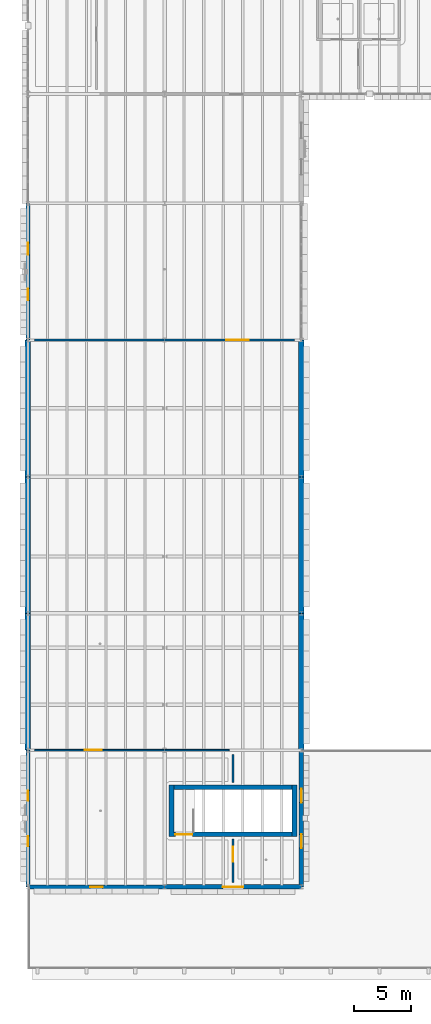
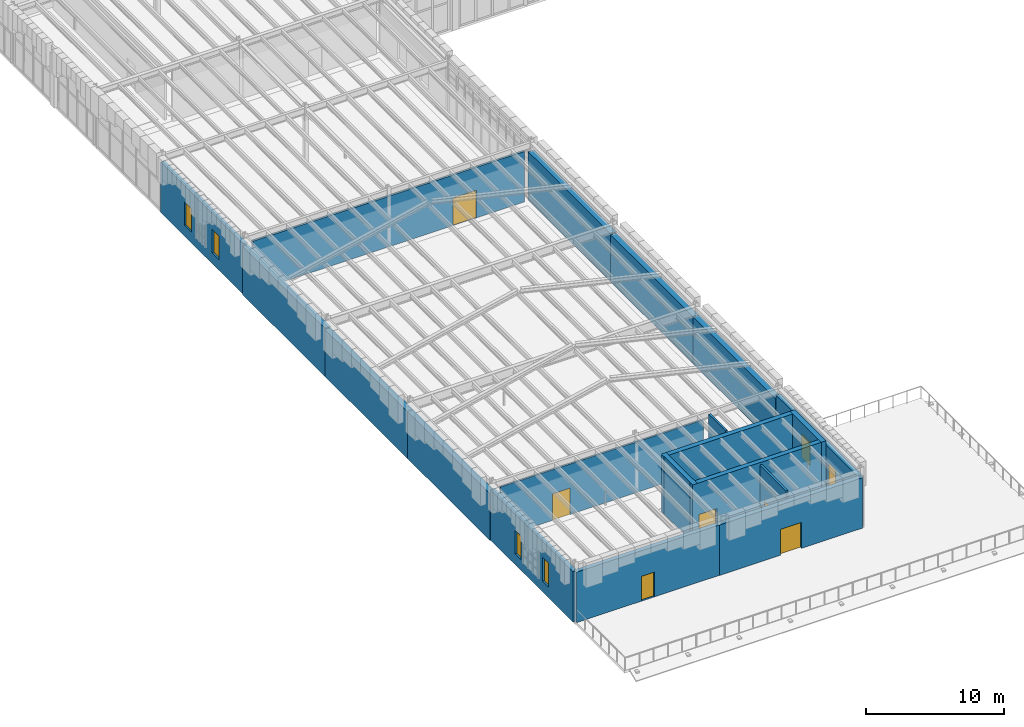
# One storey, part 56 of 100: 19 walls, 6 doors, 6 windows, 12 openings.
"""IFC4 building model written with IfcOpenShell, lengths in metres."""

import ifcopenshell
import ifcopenshell.guid

model = None  # the IFC model being written
_history = None  # IfcOwnerHistory: only IFC2X3 demands one
_inside = {}  # id of a spatial element -> (the spatial element, [elements in it])
_under = {}  # id of a project, library or spatial element -> (it, [spatial elements below it])
_declared = {}  # id of a project -> (the project, [libraries it declares])
_typed = {}  # id of a type object -> (the type object, [elements of that type])
_made_of = {}  # id of a material, layer set ... -> (it, [elements and type objects made of it])


def new_model(schema):
    """Start an empty IFC model of exactly this schema.

    Asked for "IFC4X3", IfcOpenShell would pick the latest addendum, in which some entities
    have other attributes; the version numbers below select the first issue.
    IFC2X3 requires an IfcOwnerHistory on every rooted entity: one is made here for all.
    """
    global model, _history
    if schema == "IFC4X3":
        model = ifcopenshell.file(schema_version=(4, 3, 0, 0))
    else:
        model = ifcopenshell.file(schema=schema)
    _inside.clear()
    _under.clear()
    _declared.clear()
    _typed.clear()
    _made_of.clear()
    _history = None
    if model.schema == "IFC2X3":
        org = make("IfcOrganization", Name="unknown")
        user = make(
            "IfcPersonAndOrganization",
            ThePerson=make("IfcPerson", FamilyName="unknown"),
            TheOrganization=org,
        )
        app = make(
            "IfcApplication",
            ApplicationDeveloper=org,
            Version="unknown",
            ApplicationFullName="unknown",
            ApplicationIdentifier="unknown",
        )
        _history = make(
            "IfcOwnerHistory",
            OwningUser=user,
            OwningApplication=app,
            ChangeAction="ADDED",
            CreationDate=0,
        )
    return model


def make(cls, **values):
    """One entity of the class cls with the attributes given. An attribute that is None is left unset."""
    return model.create_entity(
        cls, **{name: value for name, value in values.items() if value is not None}
    )


def rooted(cls, **values):
    """An entity with a GlobalId (a new one), such as an element, a storey or a relation."""
    return make(cls, GlobalId=ifcopenshell.guid.new(), OwnerHistory=_history, **values)


def si_unit(unit_type, name, prefix=None):
    """IfcSIUnit, for example si_unit("LENGTHUNIT", "METRE", prefix="MILLI")."""
    return make("IfcSIUnit", UnitType=unit_type, Prefix=prefix, Name=name)


def assignment(units):
    """IfcUnitAssignment: the units of a project."""
    return None if units is None else make("IfcUnitAssignment", Units=units)


def point(xyz):
    """IfcCartesianPoint."""
    return None if xyz is None else make("IfcCartesianPoint", Coordinates=xyz)


def direction(xyz):
    """IfcDirection."""
    return None if xyz is None else make("IfcDirection", DirectionRatios=xyz)


def frame(location, z_axis=None, x_axis=None):
    """IfcAxis2Placement3D, a coordinate frame: its origin and axes. An axis left out is left unset."""
    return make(
        "IfcAxis2Placement3D",
        Location=point(location),
        Axis=direction(z_axis),
        RefDirection=direction(x_axis),
    )


def frame_2d(location, x_axis=None):
    """IfcAxis2Placement2D, a coordinate frame in the plane: its origin and x axis."""
    return make(
        "IfcAxis2Placement2D", Location=point(location), RefDirection=direction(x_axis)
    )


def origin():
    """The frame at (0, 0, 0) with its axes left unset."""
    return frame((0.0, 0.0, 0.0))


def place(relative_to, where):
    """IfcLocalPlacement: puts the frame where relative to a parent placement (None: the world)."""
    return make(
        "IfcLocalPlacement", PlacementRelTo=relative_to, RelativePlacement=where
    )


def context(
    kind, dimensions, precision=None, world=None, true_north=None, identifier=None
):
    """IfcGeometricRepresentationContext, for example the 3D "Model" context."""
    return make(
        "IfcGeometricRepresentationContext",
        ContextIdentifier=identifier,
        ContextType=kind,
        CoordinateSpaceDimension=dimensions,
        Precision=precision,
        WorldCoordinateSystem=world,
        TrueNorth=true_north,
    )


def subcontext(parent, identifier, kind, view, scale=None):
    """IfcGeometricRepresentationSubContext, for example "Body" below "Model"."""
    return make(
        "IfcGeometricRepresentationSubContext",
        ContextIdentifier=identifier,
        ContextType=kind,
        ParentContext=parent,
        TargetScale=scale,
        TargetView=view,
    )


def project(units=None, contexts=None):
    """IfcProject with its units and contexts."""
    return rooted(
        "IfcProject",
        Name="project",
        RepresentationContexts=contexts,
        UnitsInContext=assignment(units),
    )


def spatial(cls, under=None, at=None, **own):
    """A site, building, storey or space (cls), placed at a placement, below another one or the project."""
    s = rooted(cls, ObjectPlacement=at, **own)
    if under is not None:
        _under.setdefault(under.id(), (under, []))[1].append(s)
    return s


def profile(cls, at=None, kind="AREA", **sizes):
    """A parametric profile (cls). Its sizes go by their IFC names, for example OverallWidth=200.0."""
    return make(cls, ProfileType=kind, Position=at, **sizes)


def rectangle(**sizes):
    """IfcRectangleProfileDef."""
    return profile("IfcRectangleProfileDef", **sizes)


def extrude(swept, where, along, depth):
    """IfcExtrudedAreaSolid: the profile swept, set in the frame where, extruded along a direction by depth."""
    return make(
        "IfcExtrudedAreaSolid",
        SweptArea=swept,
        Position=where,
        ExtrudedDirection=direction(along),
        Depth=depth,
    )


def shape(context_of_items, identifier, shape_type, items):
    """IfcShapeRepresentation: the items that make up one representation, for example the "Body"."""
    return make(
        "IfcShapeRepresentation",
        ContextOfItems=context_of_items,
        RepresentationIdentifier=identifier,
        RepresentationType=shape_type,
        Items=items,
    )


def material(Name=None, Category=None):
    """IfcMaterial."""
    return make("IfcMaterial", Name=Name, Category=Category)


def layer(
    of_material, thickness, ventilated=None, Name=None, Category=None, Priority=None
):
    """IfcMaterialLayer: one layer of a wall or slab, of a material (None: an air gap)."""
    return make(
        "IfcMaterialLayer",
        Material=of_material,
        LayerThickness=thickness,
        IsVentilated=ventilated,
        Name=Name,
        Category=Category,
        Priority=Priority,
    )


def layer_set(layers, Name=None):
    """IfcMaterialLayerSet."""
    return make("IfcMaterialLayerSet", MaterialLayers=layers, LayerSetName=Name)


def made_of(thing, what):
    """Note that an element or type object is made of a material, layer set ...; save() writes the relation."""
    if what is not None:
        _made_of.setdefault(what.id(), (what, []))[1].append(thing)
    return thing


def type_object(cls, material=None, **own):
    """A type object (cls), such as IfcWallType, which elements share."""
    return made_of(rooted(cls, **own), material)


def element(
    cls,
    number,
    at=None,
    inside=None,
    cuts=None,
    type_object=None,
    material=None,
    context=None,
    identifier="Body",
    shape_type=None,
    held_by="IfcProductDefinitionShape",
    body=None,
    shapes=None,
    **own,
):
    """One element of the class cls, such as IfcWall. Its Tag is "e" and its number.

    at: its placement. inside: the storey or other place that contains it. cuts: it is an
    opening in that element (IfcRelVoidsElement). A single representation is given by context,
    identifier, shape_type and body (its items); several are given by shapes. held_by: the class
    of the entity that holds the representations. save() writes the other relations.
    """
    e = rooted(cls, Tag="e%d" % number, ObjectPlacement=at, **own)
    if body is not None:
        shapes = [shape(context, identifier, shape_type, body)]
    if shapes is not None:
        e.Representation = make(held_by, Representations=shapes)
    if inside is not None:
        _inside.setdefault(inside.id(), (inside, []))[1].append(e)
    if cuts is not None:
        rooted(
            "IfcRelVoidsElement", RelatingBuildingElement=cuts, RelatedOpeningElement=e
        )
    if type_object is not None:
        _typed.setdefault(type_object.id(), (type_object, []))[1].append(e)
    return made_of(e, material)


def fill(opening, filler):
    """IfcRelFillsElement: the door or window that sits in an opening."""
    return rooted(
        "IfcRelFillsElement",
        RelatingOpeningElement=opening,
        RelatedBuildingElement=filler,
    )


def aggregate(whole, parts):
    """IfcRelAggregates: a whole, such as a stair, and the parts it consists of."""
    return rooted("IfcRelAggregates", RelatingObject=whole, RelatedObjects=parts)


def save(model, path):
    """Write the relations noted so far, then the file.

    IfcRelAggregates (storeys below a building ...), IfcRelContainedInSpatialStructure (elements
    in a storey), IfcRelDefinesByType, IfcRelAssociatesMaterial and IfcRelDeclares: one each for
    every whole, place, type object, material and project.
    """
    for whole, parts in _under.values():
        aggregate(whole, parts)
    for where, things in _inside.values():
        rooted(
            "IfcRelContainedInSpatialStructure",
            RelatedElements=things,
            RelatingStructure=where,
        )
    for kind, things in _typed.values():
        rooted("IfcRelDefinesByType", RelatedObjects=things, RelatingType=kind)
    for what, things in _made_of.values():
        rooted("IfcRelAssociatesMaterial", RelatedObjects=things, RelatingMaterial=what)
    for by, libraries in _declared.values():
        rooted("IfcRelDeclares", RelatingContext=by, RelatedDefinitions=libraries)
    model.write(path)


model = new_model("IFC4")

# Units and contexts
model_context = context("Model", 3, precision=1e-05, world=origin(), true_north=direction((0.0, 1.0)))
body_context = subcontext(model_context, "Body", "Model", "MODEL_VIEW")
ifc_project = project(units=[si_unit("LENGTHUNIT", "METRE"), si_unit("AREAUNIT", "SQUARE_METRE"), si_unit("VOLUMEUNIT", "CUBIC_METRE"), si_unit("PLANEANGLEUNIT", "RADIAN"), si_unit("MASSUNIT", "GRAM", prefix="KILO")], contexts=[model_context])

# Site, building, storey
site_placement = place(None, origin())
site = spatial("IfcSite", under=ifc_project, at=site_placement, CompositionType="ELEMENT")
building_placement = place(site_placement, origin())
building = spatial("IfcBuilding", under=site, at=building_placement, Name="Zlatogorsky Bluff Art Gallery", CompositionType="ELEMENT")
storey_placement = place(building_placement, frame((0.0, 0.0, 5.39990234375)))
storey = spatial("IfcBuildingStorey", under=building, at=storey_placement, Name="L01", CompositionType="ELEMENT", Elevation=5.39990234375)

# Wall, opening, door
ifc_material_1 = material(Name="Precast concrete C40/50", Category="concrete")
ifc_layer_1 = layer(ifc_material_1, 0.360107421875)
ifc_layer_set_1 = layer_set([ifc_layer_1], Name="Exterior Wall EW-01 360mm")
wall_type_1 = type_object("IfcWallType", Name="Exterior Wall EW-01 360mm", PredefinedType="SOLIDWALL", material=ifc_layer_set_1)
wall_1_placement = place(storey_placement, frame((0.0, 14.39990234375, 0.0), z_axis=(0.0, 0.0, 1.0), x_axis=(1.0, 0.0, 0.0)))
wall_1 = element("IfcWall", 1, at=wall_1_placement, inside=storey, type_object=wall_type_1, Name="Exterior wall EW-01 L01 S 0.2", PredefinedType="SOLIDWALL", context=body_context, shape_type="SweptSolid", body=[
    extrude(rectangle(XDim=12.0, YDim=0.360107421875, at=frame_2d((6.0, 0.0))), origin(), (0.0, 0.0, 1.0), 4.47998046875),
])
opening_1_placement = place(wall_1_placement, frame((5.449951171875, 0.0, 0.0)))
opening_1 = element("IfcOpeningElement", 2, at=opening_1_placement, cuts=wall_1, Name="Opening TD-03", PredefinedType="OPENING", context=body_context, shape_type="SweptSolid", body=[
    extrude(rectangle(XDim=1.10009765625, YDim=2.199951171875, at=frame_2d((0.550048828125, 1.10009765625))), frame((0.0, 0.18994140625, 0.0), z_axis=(0.0, -1.0, 0.0), x_axis=(1.0, 0.0, 0.0)), (0.0, 0.0, 1.0), 0.380126953125),
])
ifc_material_2 = material(Name="Bronze-Clad Thermally Broken Steel and Laminated Glass", Category="steel")
door_type_1 = type_object("IfcDoorType", Name="Exterior Door TD-03 1100x2200", OperationType="SINGLE_SWING_LEFT", PredefinedType="DOOR", material=ifc_material_2)
door_1_placement = place(opening_1_placement, origin())
door_1 = element("IfcDoor", 3, at=door_1_placement, inside=storey, type_object=door_type_1, Name="Terrace access door TD-03 L01.S.0.2", OperationType="SINGLE_SWING_LEFT", OverallHeight=2.199951171875, OverallWidth=1.10009765625, PredefinedType="DOOR", context=body_context, shape_type="SweptSolid", body=[
    extrude(rectangle(XDim=1.10009765625, YDim=2.199951171875, at=frame_2d((0.550048828125, 1.10009765625))), frame((0.0, 0.02490234375, 0.0), z_axis=(0.0, -1.0, 0.0), x_axis=(1.0, 0.0, 0.0)), (0.0, 0.0, 1.0), 0.050048828125),
])
fill(opening_1, door_1)

# Wall, openings, windows
wall_2_placement = place(storey_placement, frame((0.0, 26.39990234375, 0.0), z_axis=(0.0, 0.0, 1.0), x_axis=(0.0, -1.0, 0.0)))
wall_2 = element("IfcWall", 4, at=wall_2_placement, inside=storey, type_object=wall_type_1, Name="Exterior wall EW-01 L01 W 0.2", PredefinedType="SOLIDWALL", context=body_context, shape_type="SweptSolid", body=[
    extrude(rectangle(XDim=12.0, YDim=0.360107421875, at=frame_2d((6.0, 0.0))), origin(), (0.0, 0.0, 1.0), 4.47998046875),
])
opening_2_placement = place(wall_2_placement, frame((3.550048828125, 0.0, 0.949951171875)))
opening_2 = element("IfcOpeningElement", 5, at=opening_2_placement, cuts=wall_2, Name="Opening WN-25", PredefinedType="OPENING", context=body_context, shape_type="SweptSolid", body=[
    extrude(rectangle(XDim=0.89990234375, YDim=2.10009765625, at=frame_2d((0.449951171875, 1.050048828125))), frame((0.0, 0.18994140625, 0.0), z_axis=(0.0, -1.0, 0.0), x_axis=(1.0, 0.0, 0.0)), (0.0, 0.0, 1.0), 0.380126953125),
])
opening_3_placement = place(wall_2_placement, frame((7.550048828125, 0.0, 0.949951171875)))
opening_3 = element("IfcOpeningElement", 6, at=opening_3_placement, cuts=wall_2, Name="Opening WN-25", PredefinedType="OPENING", context=body_context, shape_type="SweptSolid", body=[
    extrude(rectangle(XDim=0.89990234375, YDim=2.10009765625, at=frame_2d((0.449951171875, 1.050048828125))), frame((0.0, 0.18994140625, 0.0), z_axis=(0.0, -1.0, 0.0), x_axis=(1.0, 0.0, 0.0)), (0.0, 0.0, 1.0), 0.380126953125),
])
ifc_material_3 = material(Name="Bronze-Anodised Aluminium Triple Glazing", Category="aluminium")
window_type_1 = type_object("IfcWindowType", Name="Pointed-Reveal Window WN-25 900x2100", PartitioningType="SINGLE_PANEL", PredefinedType="WINDOW", material=ifc_material_3)
window_1_placement = place(opening_2_placement, origin())
window_1 = element("IfcWindow", 7, at=window_1_placement, inside=storey, type_object=window_type_1, Name="Window WN-25 L01.W.0.2.1", OverallHeight=2.10009765625, OverallWidth=0.89990234375, PartitioningType="SINGLE_PANEL", PredefinedType="WINDOW", context=body_context, shape_type="SweptSolid", body=[
    extrude(rectangle(XDim=0.89990234375, YDim=2.10009765625, at=frame_2d((0.449951171875, 1.050048828125))), frame((0.0, 0.030029296875, 0.0), z_axis=(0.0, -1.0, 0.0), x_axis=(1.0, 0.0, 0.0)), (0.0, 0.0, 1.0), 0.06005859375),
])
fill(opening_2, window_1)
window_2_placement = place(opening_3_placement, origin())
window_2 = element("IfcWindow", 8, at=window_2_placement, inside=storey, type_object=window_type_1, Name="Window WN-25 L01.W.0.2.2", OverallHeight=2.10009765625, OverallWidth=0.89990234375, PartitioningType="SINGLE_PANEL", PredefinedType="WINDOW", context=body_context, shape_type="SweptSolid", body=[
    extrude(rectangle(XDim=0.89990234375, YDim=2.10009765625, at=frame_2d((0.449951171875, 1.050048828125))), frame((0.0, 0.030029296875, 0.0), z_axis=(0.0, -1.0, 0.0), x_axis=(1.0, 0.0, 0.0)), (0.0, 0.0, 1.0), 0.06005859375),
])
fill(opening_3, window_2)

wall_3_placement = place(storey_placement, frame((0.0, 74.39990234375, 0.0), z_axis=(0.0, 0.0, 1.0), x_axis=(0.0, -1.0, 0.0)))
wall_3 = element("IfcWall", 9, at=wall_3_placement, inside=storey, type_object=wall_type_1, Name="Exterior wall EW-01 L01 W 0.6", PredefinedType="SOLIDWALL", context=body_context, shape_type="SweptSolid", body=[
    extrude(rectangle(XDim=12.0, YDim=0.360107421875, at=frame_2d((6.0, 0.0))), origin(), (0.0, 0.0, 1.0), 4.47998046875),
])
opening_4_placement = place(wall_3_placement, frame((3.47509765625, 0.0, 0.949951171875)))
opening_4 = element("IfcOpeningElement", 10, at=opening_4_placement, cuts=wall_3, Name="Opening WN-26", PredefinedType="OPENING", context=body_context, shape_type="SweptSolid", body=[
    extrude(rectangle(XDim=1.050048828125, YDim=2.10009765625, at=frame_2d((0.52490234375, 1.050048828125))), frame((0.0, 0.18994140625, 0.0), z_axis=(0.0, -1.0, 0.0), x_axis=(1.0, 0.0, 0.0)), (0.0, 0.0, 1.0), 0.380126953125),
])
opening_5_placement = place(wall_3_placement, frame((7.47509765625, 0.0, 0.949951171875)))
opening_5 = element("IfcOpeningElement", 11, at=opening_5_placement, cuts=wall_3, Name="Opening WN-26", PredefinedType="OPENING", context=body_context, shape_type="SweptSolid", body=[
    extrude(rectangle(XDim=1.050048828125, YDim=2.10009765625, at=frame_2d((0.52490234375, 1.050048828125))), frame((0.0, 0.18994140625, 0.0), z_axis=(0.0, -1.0, 0.0), x_axis=(1.0, 0.0, 0.0)), (0.0, 0.0, 1.0), 0.380126953125),
])
window_type_2 = type_object("IfcWindowType", Name="Pointed-Reveal Window WN-26 1050x2100", PartitioningType="SINGLE_PANEL", PredefinedType="WINDOW", material=ifc_material_3)
window_3_placement = place(opening_4_placement, origin())
window_3 = element("IfcWindow", 12, at=window_3_placement, inside=storey, type_object=window_type_2, Name="Window WN-26 L01.W.0.6.1", OverallHeight=2.10009765625, OverallWidth=1.050048828125, PartitioningType="SINGLE_PANEL", PredefinedType="WINDOW", context=body_context, shape_type="SweptSolid", body=[
    extrude(rectangle(XDim=1.050048828125, YDim=2.10009765625, at=frame_2d((0.52490234375, 1.050048828125))), frame((0.0, 0.030029296875, 0.0), z_axis=(0.0, -1.0, 0.0), x_axis=(1.0, 0.0, 0.0)), (0.0, 0.0, 1.0), 0.06005859375),
])
fill(opening_4, window_3)
window_4_placement = place(opening_5_placement, origin())
window_4 = element("IfcWindow", 13, at=window_4_placement, inside=storey, type_object=window_type_2, Name="Window WN-26 L01.W.0.6.2", OverallHeight=2.10009765625, OverallWidth=1.050048828125, PartitioningType="SINGLE_PANEL", PredefinedType="WINDOW", context=body_context, shape_type="SweptSolid", body=[
    extrude(rectangle(XDim=1.050048828125, YDim=2.10009765625, at=frame_2d((0.52490234375, 1.050048828125))), frame((0.0, 0.030029296875, 0.0), z_axis=(0.0, -1.0, 0.0), x_axis=(1.0, 0.0, 0.0)), (0.0, 0.0, 1.0), 0.06005859375),
])
fill(opening_5, window_4)

# Wall, opening, door
ifc_layer_2 = layer(ifc_material_1, 0.39990234375)
ifc_layer_set_2 = layer_set([ifc_layer_2], Name="Exterior Wall EW-02 400mm")
wall_type_2 = type_object("IfcWallType", Name="Exterior Wall EW-02 400mm", PredefinedType="SOLIDWALL", material=ifc_layer_set_2)
wall_4_placement = place(storey_placement, frame((12.0, 14.39990234375, 0.0), z_axis=(0.0, 0.0, 1.0), x_axis=(1.0, 0.0, 0.0)))
wall_4 = element("IfcWall", 14, at=wall_4_placement, inside=storey, type_object=wall_type_2, Name="Exterior wall EW-02 L01 S 1.2", PredefinedType="SOLIDWALL", context=body_context, shape_type="SweptSolid", body=[
    extrude(rectangle(XDim=12.0, YDim=0.39990234375, at=frame_2d((6.0, 0.0))), origin(), (0.0, 0.0, 1.0), 4.47998046875),
])
opening_6_placement = place(wall_4_placement, frame((5.10009765625, 0.0, 0.0)))
opening_6 = element("IfcOpeningElement", 15, at=opening_6_placement, cuts=wall_4, Name="Opening TD-01", PredefinedType="OPENING", context=body_context, shape_type="SweptSolid", body=[
    extrude(rectangle(XDim=1.800048828125, YDim=2.300048828125, at=frame_2d((0.89990234375, 1.14990234375))), frame((0.0, 0.2099609375, 0.0), z_axis=(0.0, -1.0, 0.0), x_axis=(1.0, 0.0, 0.0)), (0.0, 0.0, 1.0), 0.419921875),
])
door_type_2 = type_object("IfcDoorType", Name="Exterior Door TD-01 1800x2300", OperationType="DOUBLE_DOOR_SINGLE_SWING", PredefinedType="DOOR", material=ifc_material_2)
door_2_placement = place(opening_6_placement, origin())
door_2 = element("IfcDoor", 16, at=door_2_placement, inside=storey, type_object=door_type_2, Name="Terrace access door TD-01 L01.S.1.2", OperationType="DOUBLE_DOOR_SINGLE_SWING", OverallHeight=2.300048828125, OverallWidth=1.800048828125, PredefinedType="DOOR", context=body_context, shape_type="SweptSolid", body=[
    extrude(rectangle(XDim=1.800048828125, YDim=2.300048828125, at=frame_2d((0.89990234375, 1.14990234375))), frame((0.0, 0.02490234375, 0.0), z_axis=(0.0, -1.0, 0.0), x_axis=(1.0, 0.0, 0.0)), (0.0, 0.0, 1.0), 0.050048828125),
])
fill(opening_6, door_2)

# Wall, openings, windows
wall_5_placement = place(storey_placement, frame((24.0, 14.39990234375, 0.0), z_axis=(0.0, 0.0, 1.0), x_axis=(0.0, 1.0, 0.0)))
wall_5 = element("IfcWall", 17, at=wall_5_placement, inside=storey, type_object=wall_type_2, Name="Exterior wall EW-02 L01 E 1.2", PredefinedType="SOLIDWALL", context=body_context, shape_type="SweptSolid", body=[
    extrude(rectangle(XDim=12.0, YDim=0.39990234375, at=frame_2d((6.0, 0.0))), origin(), (0.0, 0.0, 1.0), 4.47998046875),
])
opening_7_placement = place(wall_5_placement, frame((3.39990234375, 0.0, 0.949951171875)))
opening_7 = element("IfcOpeningElement", 18, at=opening_7_placement, cuts=wall_5, Name="Opening WN-27", PredefinedType="OPENING", context=body_context, shape_type="SweptSolid", body=[
    extrude(rectangle(XDim=1.199951171875, YDim=2.10009765625, at=frame_2d((0.60009765625, 1.050048828125))), frame((0.0, 0.2099609375, 0.0), z_axis=(0.0, -1.0, 0.0), x_axis=(1.0, 0.0, 0.0)), (0.0, 0.0, 1.0), 0.419921875),
])
opening_8_placement = place(wall_5_placement, frame((7.39990234375, 0.0, 0.949951171875)))
opening_8 = element("IfcOpeningElement", 19, at=opening_8_placement, cuts=wall_5, Name="Opening WN-27", PredefinedType="OPENING", context=body_context, shape_type="SweptSolid", body=[
    extrude(rectangle(XDim=1.199951171875, YDim=2.10009765625, at=frame_2d((0.60009765625, 1.050048828125))), frame((0.0, 0.2099609375, 0.0), z_axis=(0.0, -1.0, 0.0), x_axis=(1.0, 0.0, 0.0)), (0.0, 0.0, 1.0), 0.419921875),
])
window_type_3 = type_object("IfcWindowType", Name="Pointed-Reveal Window WN-27 1200x2100", PartitioningType="SINGLE_PANEL", PredefinedType="WINDOW", material=ifc_material_3)
window_5_placement = place(opening_7_placement, origin())
window_5 = element("IfcWindow", 20, at=window_5_placement, inside=storey, type_object=window_type_3, Name="Window WN-27 L01.E.1.2.1", OverallHeight=2.10009765625, OverallWidth=1.199951171875, PartitioningType="SINGLE_PANEL", PredefinedType="WINDOW", context=body_context, shape_type="SweptSolid", body=[
    extrude(rectangle(XDim=1.199951171875, YDim=2.10009765625, at=frame_2d((0.60009765625, 1.050048828125))), frame((0.0, 0.030029296875, 0.0), z_axis=(0.0, -1.0, 0.0), x_axis=(1.0, 0.0, 0.0)), (0.0, 0.0, 1.0), 0.06005859375),
])
fill(opening_7, window_5)
window_6_placement = place(opening_8_placement, origin())
window_6 = element("IfcWindow", 21, at=window_6_placement, inside=storey, type_object=window_type_3, Name="Window WN-27 L01.E.1.2.2", OverallHeight=2.10009765625, OverallWidth=1.199951171875, PartitioningType="SINGLE_PANEL", PredefinedType="WINDOW", context=body_context, shape_type="SweptSolid", body=[
    extrude(rectangle(XDim=1.199951171875, YDim=2.10009765625, at=frame_2d((0.60009765625, 1.050048828125))), frame((0.0, 0.030029296875, 0.0), z_axis=(0.0, -1.0, 0.0), x_axis=(1.0, 0.0, 0.0)), (0.0, 0.0, 1.0), 0.06005859375),
])
fill(opening_8, window_6)

# Walls
ifc_layer_3 = layer(ifc_material_1, 0.47998046875)
ifc_layer_set_3 = layer_set([ifc_layer_3], Name="Exterior Wall EW-05 480mm")
wall_type_3 = type_object("IfcWallType", Name="Exterior Wall EW-05 480mm", PredefinedType="SOLIDWALL", material=ifc_layer_set_3)
for number, where, z_axis, x_axis, name in (
    (22, (0.0, 38.39990234375, 0.0), (0.0, 0.0, 1.0), (0.0, -1.0, 0.0), "Exterior wall EW-05 L01 W 0.3"),
    (23, (0.0, 50.39990234375, 0.0), (0.0, 0.0, 1.0), (0.0, -1.0, 0.0), "Exterior wall EW-05 L01 W 0.4"),
):
    element("IfcWall", number, at=place(storey_placement, frame(where, z_axis=z_axis, x_axis=x_axis)), inside=storey, type_object=wall_type_3, Name=name, PredefinedType="SOLIDWALL", context=body_context, shape_type="SweptSolid", body=[
        extrude(rectangle(XDim=12.0, YDim=0.47998046875, at=frame_2d((6.0, 0.0))), origin(), (0.0, 0.0, 1.0), 4.18017578125),
    ])
wall_6_placement = place(storey_placement, frame((0.0, 62.39990234375, 0.0), z_axis=(0.0, 0.0, 1.0), x_axis=(0.0, -1.0, 0.0)))
element("IfcWall", 24, at=wall_6_placement, inside=storey, type_object=wall_type_3, Name="Exterior wall EW-05 L01 W 0.5", PredefinedType="SOLIDWALL", context=body_context, shape_type="SweptSolid", body=[
    extrude(rectangle(XDim=12.0, YDim=0.47998046875, at=frame_2d((6.0, 0.0))), origin(), (0.0, 0.0, 1.0), 4.280029296875),
])
for number, where, z_axis, x_axis, name in (
    (25, (24.0, 26.39990234375, 0.0), (0.0, 0.0, 1.0), (0.0, 1.0, 0.0), "Exterior wall EW-05 L01 E 1.3"),
    (26, (24.0, 38.39990234375, 0.0), (0.0, 0.0, 1.0), (0.0, 1.0, 0.0), "Exterior wall EW-05 L01 E 1.4"),
):
    element("IfcWall", number, at=place(storey_placement, frame(where, z_axis=z_axis, x_axis=x_axis)), inside=storey, type_object=wall_type_3, Name=name, PredefinedType="SOLIDWALL", context=body_context, shape_type="SweptSolid", body=[
        extrude(rectangle(XDim=12.0, YDim=0.47998046875, at=frame_2d((6.0, 0.0))), origin(), (0.0, 0.0, 1.0), 4.18017578125),
    ])
wall_7_placement = place(storey_placement, frame((24.0, 50.39990234375, 0.0), z_axis=(0.0, 0.0, 1.0), x_axis=(0.0, 1.0, 0.0)))
element("IfcWall", 27, at=wall_7_placement, inside=storey, type_object=wall_type_3, Name="Exterior wall EW-05 L01 E 1.5", PredefinedType="SOLIDWALL", context=body_context, shape_type="SweptSolid", body=[
    extrude(rectangle(XDim=12.0, YDim=0.47998046875, at=frame_2d((6.0, 0.0))), origin(), (0.0, 0.0, 1.0), 4.280029296875),
])

# Wall, opening, door
ifc_material_4 = material(Name="Concrete C30/37", Category="concrete")
ifc_layer_4 = layer(ifc_material_4, 0.14990234375)
ifc_layer_set_4 = layer_set([ifc_layer_4], Name="Interior Wall IW-01 150mm")
wall_type_4 = type_object("IfcWallType", Name="Interior Wall IW-01 150mm", PredefinedType="PARTITIONING", material=ifc_layer_set_4)
wall_8_placement = place(storey_placement, frame((0.594482421875, 26.39990234375, 0.0), z_axis=(0.0, 0.0, 1.0), x_axis=(1.0, 0.0, 0.0)))
wall_8 = element("IfcWall", 28, at=wall_8_placement, inside=storey, type_object=wall_type_4, Name="Partition IW-01 between L01-G1-11 and L01-A1", PredefinedType="PARTITIONING", context=body_context, shape_type="SweptSolid", body=[
    extrude(rectangle(XDim=17.068115234375, YDim=0.14990234375, at=frame_2d((8.5341796875, 0.0))), origin(), (0.0, 0.0, 1.0), 4.489990234375),
])
opening_9_placement = place(wall_8_placement, frame((4.3701171875, 0.0, 0.0)))
opening_9 = element("IfcOpeningElement", 29, at=opening_9_placement, cuts=wall_8, Name="Opening ID-09", PredefinedType="OPENING", context=body_context, shape_type="SweptSolid", body=[
    extrude(rectangle(XDim=1.5, YDim=2.35009765625, at=frame_2d((0.75, 1.175048828125))), frame((0.0, 0.0849609375, 0.0), z_axis=(0.0, -1.0, 0.0), x_axis=(1.0, 0.0, 0.0)), (0.0, 0.0, 1.0), 0.169921875),
])
ifc_material_5 = material(Name="Anodised Aluminium and Laminated Timber", Category="wood")
door_type_3 = type_object("IfcDoorType", Name="Interior Door ID-09 1500x2350", OperationType="DOUBLE_DOOR_SINGLE_SWING", PredefinedType="DOOR", material=ifc_material_5)
door_3_placement = place(opening_9_placement, origin())
door_3 = element("IfcDoor", 30, at=door_3_placement, inside=storey, type_object=door_type_3, Name="Door ID-09 L01-G1-11-L01-A1", OperationType="DOUBLE_DOOR_SINGLE_SWING", OverallHeight=2.35009765625, OverallWidth=1.5, PredefinedType="DOOR", context=body_context, shape_type="SweptSolid", body=[
    extrude(rectangle(XDim=1.5, YDim=2.35009765625, at=frame_2d((0.75, 1.175048828125))), frame((0.0, 0.02490234375, 0.0), z_axis=(0.0, -1.0, 0.0), x_axis=(1.0, 0.0, 0.0)), (0.0, 0.0, 1.0), 0.050048828125),
])
fill(opening_9, door_3)

ifc_layer_5 = layer(ifc_material_4, 0.179931640625)
ifc_layer_set_5 = layer_set([ifc_layer_5], Name="Interior Wall IW-02 180mm")
wall_type_5 = type_object("IfcWallType", Name="Interior Wall IW-02 180mm", PredefinedType="PARTITIONING", material=ifc_layer_set_5)
wall_9_placement = place(storey_placement, frame((18.0, 14.780029296875, 0.0), z_axis=(0.0, 0.0, 1.0), x_axis=(0.0, 1.0, 0.0)))
wall_9 = element("IfcWall", 31, at=wall_9_placement, inside=storey, type_object=wall_type_5, Name="Partition IW-02 between L01-G1-11 and L01-G1-12-S1", PredefinedType="PARTITIONING", context=body_context, shape_type="SweptSolid", body=[
    extrude(rectangle(XDim=3.800048828125, YDim=0.179931640625, at=frame_2d((1.89990234375, 0.0))), origin(), (0.0, 0.0, 1.0), 5.090087890625),
])
opening_10_placement = place(wall_9_placement, frame((1.800048828125, 0.0, 0.0)))
opening_10 = element("IfcOpeningElement", 32, at=opening_10_placement, cuts=wall_9, Name="Opening ID-08", PredefinedType="OPENING", context=body_context, shape_type="SweptSolid", body=[
    extrude(rectangle(XDim=1.35009765625, YDim=2.300048828125, at=frame_2d((0.675048828125, 1.14990234375))), frame((0.0, 0.099853515625, 0.0), z_axis=(0.0, -1.0, 0.0), x_axis=(1.0, 0.0, 0.0)), (0.0, 0.0, 1.0), 0.199951171875),
])
door_type_4 = type_object("IfcDoorType", Name="Interior Door ID-08 1350x2300", OperationType="DOUBLE_SWING_LEFT", PredefinedType="DOOR", material=ifc_material_5)
door_4_placement = place(opening_10_placement, origin())
door_4 = element("IfcDoor", 33, at=door_4_placement, inside=storey, type_object=door_type_4, Name="Door ID-08 L01-G1-11-L01-G1-12-S1", OperationType="DOUBLE_SWING_LEFT", OverallHeight=2.300048828125, OverallWidth=1.35009765625, PredefinedType="DOOR", context=body_context, shape_type="SweptSolid", body=[
    extrude(rectangle(XDim=1.35009765625, YDim=2.300048828125, at=frame_2d((0.675048828125, 1.14990234375))), frame((0.0, 0.02490234375, 0.0), z_axis=(0.0, -1.0, 0.0), x_axis=(1.0, 0.0, 0.0)), (0.0, 0.0, 1.0), 0.050048828125),
])
fill(opening_10, door_4)

# Wall
wall_10_placement = place(storey_placement, frame((18.0, 23.570068359375, 0.0), z_axis=(0.0, 0.0, 1.0), x_axis=(0.0, 1.0, 0.0)))
element("IfcWall", 34, at=wall_10_placement, inside=storey, type_object=wall_type_5, Name="Partition IW-02 between L01-G1-11 and L01-G1-12-S2", PredefinedType="PARTITIONING", context=body_context, shape_type="SweptSolid", body=[
    extrude(rectangle(XDim=2.449951171875, YDim=0.179931640625, at=frame_2d((1.22509765625, 0.0))), origin(), (0.0, 0.0, 1.0), 5.090087890625),
])

# Wall, opening, door
wall_11_placement = place(storey_placement, frame((0.594482421875, 62.39990234375, 0.0), z_axis=(0.0, 0.0, 1.0), x_axis=(1.0, 0.0, 0.0)))
wall_11 = element("IfcWall", 35, at=wall_11_placement, inside=storey, type_object=wall_type_5, Name="Partition IW-02 between L01-A1 and L01-E1", PredefinedType="PARTITIONING", context=body_context, shape_type="SweptSolid", body=[
    extrude(rectangle(XDim=22.81103515625, YDim=0.179931640625, at=frame_2d((11.405517578125, 0.0))), origin(), (0.0, 0.0, 1.0), 4.489990234375),
])
opening_11_placement = place(wall_11_placement, frame((16.818115234375, 0.0, 0.0)))
opening_11 = element("IfcOpeningElement", 36, at=opening_11_placement, cuts=wall_11, Name="Opening ID-12", PredefinedType="OPENING", context=body_context, shape_type="SweptSolid", body=[
    extrude(rectangle(XDim=1.949951171875, YDim=2.449951171875, at=frame_2d((0.97509765625, 1.22509765625))), frame((0.0, 0.099853515625, 0.0), z_axis=(0.0, -1.0, 0.0), x_axis=(1.0, 0.0, 0.0)), (0.0, 0.0, 1.0), 0.199951171875),
])
door_type_5 = type_object("IfcDoorType", Name="Interior Door ID-12 1950x2450", OperationType="DOUBLE_DOOR_SINGLE_SWING", PredefinedType="DOOR", material=ifc_material_5)
door_5_placement = place(opening_11_placement, origin())
door_5 = element("IfcDoor", 37, at=door_5_placement, inside=storey, type_object=door_type_5, Name="Door ID-12 L01-A1-L01-E1", OperationType="DOUBLE_DOOR_SINGLE_SWING", OverallHeight=2.449951171875, OverallWidth=1.949951171875, PredefinedType="DOOR", context=body_context, shape_type="SweptSolid", body=[
    extrude(rectangle(XDim=1.949951171875, YDim=2.449951171875, at=frame_2d((0.97509765625, 1.22509765625))), frame((0.0, 0.02490234375, 0.0), z_axis=(0.0, -1.0, 0.0), x_axis=(1.0, 0.0, 0.0)), (0.0, 0.0, 1.0), 0.050048828125),
])
fill(opening_11, door_5)

ifc_material_6 = material(Name="Concrete C35/45", Category="concrete")
ifc_layer_6 = layer(ifc_material_6, 0.39990234375)
ifc_layer_set_6 = layer_set([ifc_layer_6], Name="Interior Wall SW-03 400mm")
wall_type_6 = type_object("IfcWallType", Name="Interior Wall SW-03 400mm", PredefinedType="SHEAR", material=ifc_layer_set_6)
wall_12_placement = place(storey_placement, frame((12.39990234375, 19.0, 0.0), z_axis=(0.0, 0.0, 1.0), x_axis=(1.0, 0.0, 0.0)))
wall_12 = element("IfcWall", 38, at=wall_12_placement, inside=storey, type_object=wall_type_6, Name="Stair ST-09 enclosure wall L01 W0", PredefinedType="SHEAR", context=body_context, shape_type="SweptSolid", body=[
    extrude(rectangle(XDim=11.2001953125, YDim=0.39990234375, at=frame_2d((5.60009765625, 0.0))), origin(), (0.0, 0.0, 1.0), 5.110107421875),
])
opening_12_placement = place(wall_12_placement, frame((0.550048828125, 0.0, 0.0)))
opening_12 = element("IfcOpeningElement", 39, at=opening_12_placement, cuts=wall_12, Name="Opening FD-03", PredefinedType="OPENING", context=body_context, shape_type="SweptSolid", body=[
    extrude(rectangle(XDim=1.47998046875, YDim=2.300048828125, at=frame_2d((0.739990234375, 1.14990234375))), frame((0.0, 0.2099609375, 0.0), z_axis=(0.0, -1.0, 0.0), x_axis=(1.0, 0.0, 0.0)), (0.0, 0.0, 1.0), 0.419921875),
])
door_type_6 = type_object("IfcDoorType", Name="Interior Door FD-03 1480x2300", OperationType="DOUBLE_DOOR_SINGLE_SWING", PredefinedType="DOOR", material=ifc_material_5)
door_6_placement = place(opening_12_placement, origin())
door_6 = element("IfcDoor", 40, at=door_6_placement, inside=storey, type_object=door_type_6, Name="Stair ST-09 fire door L01", OperationType="DOUBLE_DOOR_SINGLE_SWING", OverallHeight=2.300048828125, OverallWidth=1.47998046875, PredefinedType="DOOR", context=body_context, shape_type="SweptSolid", body=[
    extrude(rectangle(XDim=1.47998046875, YDim=2.300048828125, at=frame_2d((0.739990234375, 1.14990234375))), frame((0.0, 0.02490234375, 0.0), z_axis=(0.0, -1.0, 0.0), x_axis=(1.0, 0.0, 0.0)), (0.0, 0.0, 1.0), 0.050048828125),
])
fill(opening_12, door_6)

# Walls
wall_13_placement = place(storey_placement, frame((23.39990234375, 18.800048828125, 0.0), z_axis=(0.0, 0.0, 1.0), x_axis=(0.0, 1.0, 0.0)))
element("IfcWall", 41, at=wall_13_placement, inside=storey, type_object=wall_type_6, Name="Stair ST-09 enclosure wall L01 FEND", PredefinedType="SHEAR", context=body_context, shape_type="SweptSolid", body=[
    extrude(rectangle(XDim=4.550048828125, YDim=0.39990234375, at=frame_2d((2.27490234375, 0.0))), origin(), (0.0, 0.0, 1.0), 5.110107421875),
])
wall_14_placement = place(storey_placement, frame((23.60009765625, 23.14990234375, 0.0), z_axis=(0.0, 0.0, 1.0), x_axis=(-1.0, 0.0, 0.0)))
element("IfcWall", 42, at=wall_14_placement, inside=storey, type_object=wall_type_6, Name="Stair ST-09 enclosure wall L01 W1", PredefinedType="SHEAR", context=body_context, shape_type="SweptSolid", body=[
    extrude(rectangle(XDim=11.2001953125, YDim=0.39990234375, at=frame_2d((5.60009765625, 0.0))), origin(), (0.0, 0.0, 1.0), 5.110107421875),
])
wall_15_placement = place(storey_placement, frame((12.60009765625, 23.35009765625, 0.0), z_axis=(0.0, 0.0, 1.0), x_axis=(0.0, -1.0, 0.0)))
element("IfcWall", 43, at=wall_15_placement, inside=storey, type_object=wall_type_6, Name="Stair ST-09 enclosure wall L01 LEND", PredefinedType="SHEAR", context=body_context, shape_type="SweptSolid", body=[
    extrude(rectangle(XDim=4.550048828125, YDim=0.39990234375, at=frame_2d((2.27490234375, 0.0))), origin(), (0.0, 0.0, 1.0), 5.110107421875),
])

save(model, "model.ifc")
